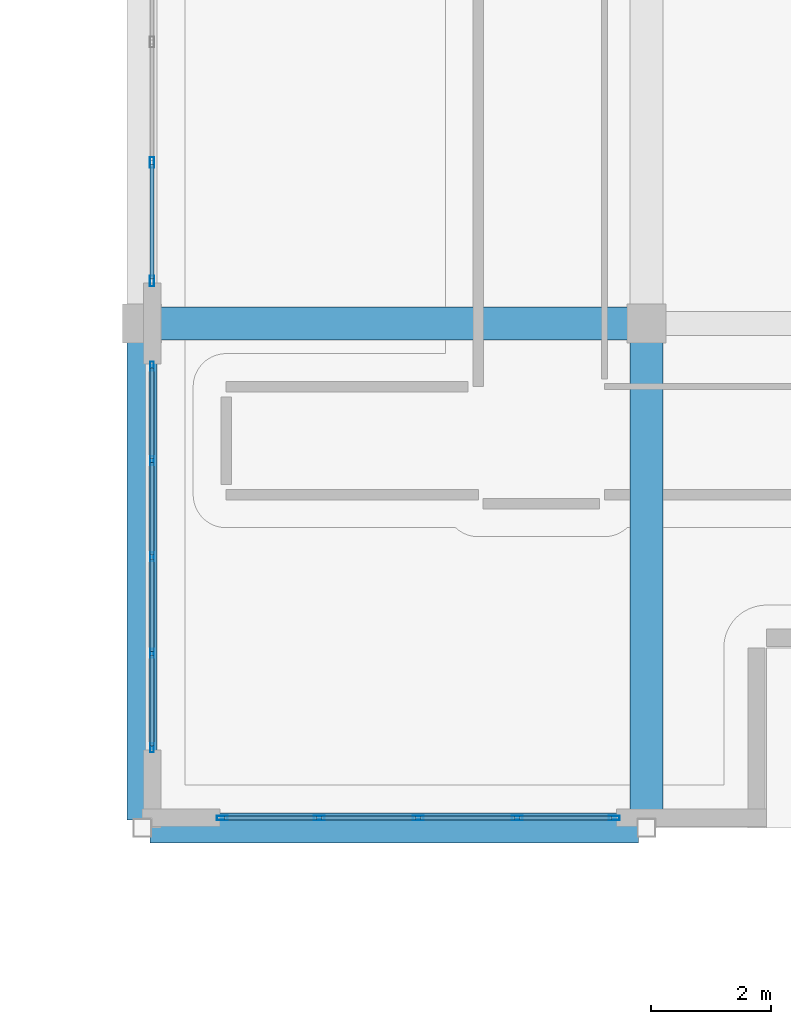
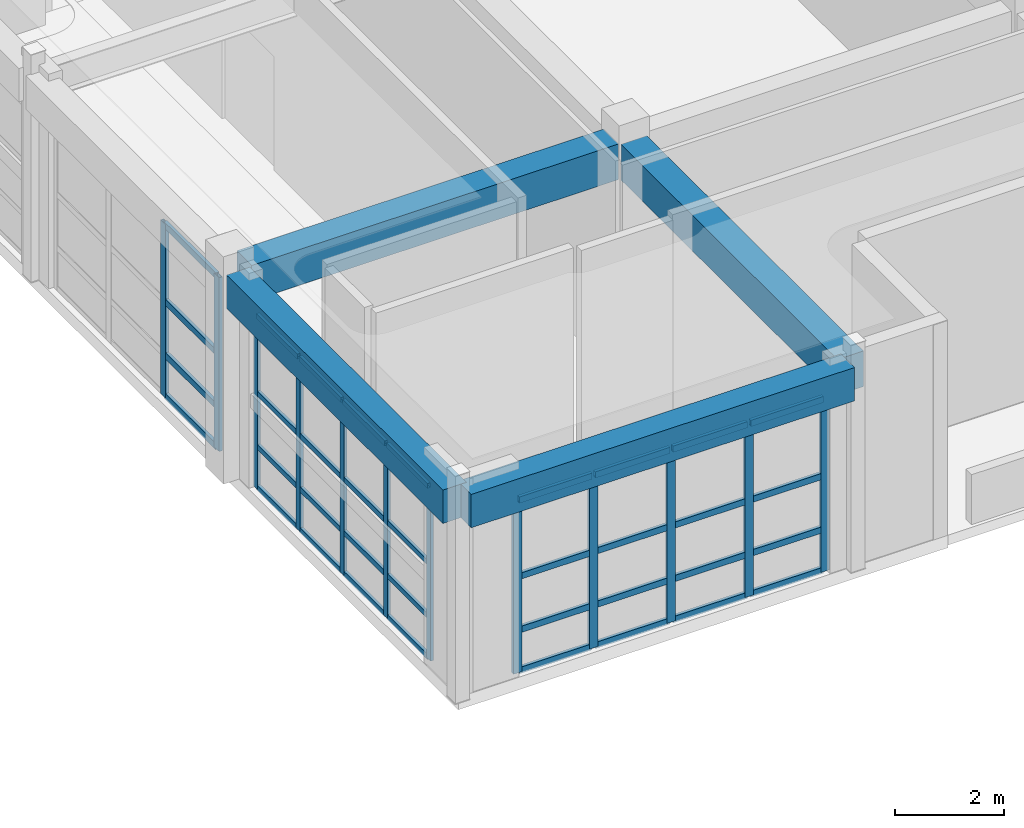
# One storey, part 28 of 78: 48 members, 4 beams, 3 elements without a shape of their own.
"""IFC4 building model written with IfcOpenShell, lengths in metres."""

from ifc_helpers import new_model, si_unit, direction, frame, origin, origin_2d, place, context, subcontext, project, spatial, rectangle, hollow_rectangle, extrude, material, layer, layer_set, material_profile, profile_set, type_object, element, aggregate, save


model = new_model("IFC4")

# Units and contexts
model_context = context("Model", 3, precision=1e-05, world=origin(), true_north=direction((0.0, 1.0)))
body_context = subcontext(model_context, "Body", "Model", "MODEL_VIEW")
ifc_project = project(units=[si_unit("LENGTHUNIT", "METRE"), si_unit("AREAUNIT", "SQUARE_METRE"), si_unit("VOLUMEUNIT", "CUBIC_METRE"), si_unit("PLANEANGLEUNIT", "RADIAN"), si_unit("MASSUNIT", "GRAM", prefix="KILO")], contexts=[model_context])

# Site, building, storey
site_placement = place(None, origin())
site = spatial("IfcSite", under=ifc_project, at=site_placement, CompositionType="ELEMENT")
building_placement = place(site_placement, origin())
building = spatial("IfcBuilding", under=site, at=building_placement, Name="Quendrovan Civic Courthouse", CompositionType="ELEMENT")
storey_placement = place(building_placement, frame((0.0, 0.0, 10.199951171875)))
storey = spatial("IfcBuildingStorey", under=building, at=storey_placement, Name="L03", CompositionType="ELEMENT", Elevation=10.199951171875)

# Beams
ifc_material_1 = material(Name="Concrete C40/50", Category="concrete")
ifc_material_profile_1 = material_profile(ifc_material_1, rectangle(XDim=0.5, YDim=0.75, at=origin_2d()), Name="RC-BM-500x750")
ifc_profile_set_1 = profile_set([ifc_material_profile_1], Name="Concrete C40/50")
beam_type_1 = type_object("IfcBeamType", Name="BM-RC750", PredefinedType="SPANDREL", material=ifc_profile_set_1)
beam_1_placement = place(storey_placement, frame((33.72998046875, 64.800048828125, 4.28515625), z_axis=(1.0, 0.0, 0.0), x_axis=(0.0, 1.0, 0.0)))
element("IfcBeam", 1, at=beam_1_placement, inside=storey, type_object=beam_type_1, Name="L03 Girder X0746", PredefinedType="SPANDREL", context=body_context, shape_type="SweptSolid", body=[
    extrude(rectangle(XDim=0.5, YDim=0.75, at=origin_2d()), origin(), (0.0, 0.0, 1.0), 8.14013671875),
])
beam_2_placement = place(storey_placement, frame((33.60009765625, 64.929931640625, 4.28515625), z_axis=(0.0, 1.0, 0.0), x_axis=(-1.0, 0.0, 0.0)))
element("IfcBeam", 2, at=beam_2_placement, inside=storey, type_object=beam_type_1, Name="L03 Girder Y0822", PredefinedType="SPANDREL", context=body_context, shape_type="SweptSolid", body=[
    extrude(rectangle(XDim=0.5, YDim=0.75, at=origin_2d()), origin(), (0.0, 0.0, 1.0), 7.965087890625),
])
ifc_material_profile_2 = material_profile(ifc_material_1, rectangle(XDim=0.550048828125, YDim=0.800048828125, at=origin_2d()), Name="RC-BM-550x800")
ifc_profile_set_2 = profile_set([ifc_material_profile_2], Name="Concrete C40/50")
beam_type_2 = type_object("IfcBeamType", Name="BM-RC800", PredefinedType="BEAM", material=ifc_profile_set_2)
beam_3_placement = place(storey_placement, frame((33.905029296875, 73.199951171875, 4.260009765625), z_axis=(1.0, 0.0, 0.0), x_axis=(0.0, 1.0, 0.0)))
element("IfcBeam", 3, at=beam_3_placement, inside=storey, type_object=beam_type_2, Name="L03 Girder X0753", PredefinedType="BEAM", context=body_context, shape_type="SweptSolid", body=[
    extrude(rectangle(XDim=0.550048828125, YDim=0.800048828125, at=origin_2d()), origin(), (0.0, 0.0, 1.0), 7.7900390625),
])
beam_4_placement = place(storey_placement, frame((42.0, 64.929931640625, 4.260009765625), z_axis=(0.0, 1.0, 0.0), x_axis=(-1.0, 0.0, 0.0)))
element("IfcBeam", 4, at=beam_4_placement, inside=storey, type_object=beam_type_2, Name="L03 Girder Y0830", PredefinedType="BEAM", context=body_context, shape_type="SweptSolid", body=[
    extrude(rectangle(XDim=0.550048828125, YDim=0.800048828125, at=origin_2d()), origin(), (0.0, 0.0, 1.0), 7.965087890625),
])

# Curtain wall, members
ifc_material_2 = material(Name="Bronze anodised aluminium and low-E glass", Category="aluminium")
ifc_layer_1 = layer(ifc_material_2, 0.179931640625, Name="Bronze anodised aluminium and low-E glass")
ifc_layer_set_1 = layer_set([ifc_layer_1], Name="Bronze anodised aluminium and low-E glass")
curtain_wall_type_1 = type_object("IfcCurtainWallType", Name="CW-U66x39", PredefinedType="USERDEFINED", material=ifc_layer_set_1)
curtain_wall_1_placement = place(storey_placement, origin())
curtain_wall_1 = element("IfcCurtainWall", 5, at=curtain_wall_1_placement, inside=storey, type_object=curtain_wall_type_1, Name="L03 Unitised Hurricane Curtain Wall CW-136", ObjectType="UNITISED CURTAIN WALL", PredefinedType="USERDEFINED")
ifc_material_3 = material(Name="Bronze anodised aluminium", Category="aluminium")
ifc_material_profile_3 = material_profile(ifc_material_3, hollow_rectangle(XDim=0.070068359375, YDim=0.179931640625, WallThickness=0.00390625, at=origin_2d()), Name="CW-MULL-70x180")
ifc_profile_set_3 = profile_set([ifc_material_profile_3], Name="Bronze anodised aluminium")
member_type_1 = type_object("IfcMemberType", Name="CW-MULL-A", PredefinedType="MULLION", material=ifc_profile_set_3)
member_1_placement = place(storey_placement, frame((41.465087890625, 64.965087890625, 0.0), z_axis=(0.0, 0.0, 1.0), x_axis=(0.0, -1.0, 0.0)))
member_1 = element("IfcMember", 6, at=member_1_placement, type_object=member_type_1, Name="CW-136 mullion 1", PredefinedType="MULLION", context=body_context, shape_type="SweptSolid", body=[
    extrude(hollow_rectangle(XDim=0.070068359375, YDim=0.179931640625, WallThickness=0.00390625, at=origin_2d()), origin(), (0.0, 0.0, 1.0), 3.900146484375),
])
member_2_placement = place(storey_placement, frame((39.85009765625, 64.965087890625, 0.0), z_axis=(0.0, 0.0, 1.0), x_axis=(0.0, -1.0, 0.0)))
member_2 = element("IfcMember", 7, at=member_2_placement, type_object=member_type_1, Name="CW-136 mullion 2", PredefinedType="MULLION", context=body_context, shape_type="SweptSolid", body=[
    extrude(hollow_rectangle(XDim=0.070068359375, YDim=0.179931640625, WallThickness=0.00390625, at=origin_2d()), origin(), (0.0, 0.0, 1.0), 3.900146484375),
])
member_3_placement = place(storey_placement, frame((38.199951171875, 64.965087890625, 0.0), z_axis=(0.0, 0.0, 1.0), x_axis=(0.0, -1.0, 0.0)))
member_3 = element("IfcMember", 8, at=member_3_placement, type_object=member_type_1, Name="CW-136 mullion 3", PredefinedType="MULLION", context=body_context, shape_type="SweptSolid", body=[
    extrude(hollow_rectangle(XDim=0.070068359375, YDim=0.179931640625, WallThickness=0.00390625, at=origin_2d()), origin(), (0.0, 0.0, 1.0), 3.900146484375),
])
member_4_placement = place(storey_placement, frame((36.550048828125, 64.965087890625, 0.0), z_axis=(0.0, 0.0, 1.0), x_axis=(0.0, -1.0, 0.0)))
member_4 = element("IfcMember", 9, at=member_4_placement, type_object=member_type_1, Name="CW-136 mullion 4", PredefinedType="MULLION", context=body_context, shape_type="SweptSolid", body=[
    extrude(hollow_rectangle(XDim=0.070068359375, YDim=0.179931640625, WallThickness=0.00390625, at=origin_2d()), origin(), (0.0, 0.0, 1.0), 3.900146484375),
])
member_5_placement = place(storey_placement, frame((34.93505859375, 64.965087890625, 0.0), z_axis=(0.0, 0.0, 1.0), x_axis=(0.0, -1.0, 0.0)))
member_5 = element("IfcMember", 10, at=member_5_placement, type_object=member_type_1, Name="CW-136 mullion 5", PredefinedType="MULLION", context=body_context, shape_type="SweptSolid", body=[
    extrude(hollow_rectangle(XDim=0.070068359375, YDim=0.179931640625, WallThickness=0.00390625, at=origin_2d()), origin(), (0.0, 0.0, 1.0), 3.900146484375),
])

ifc_layer_2 = layer(ifc_material_2, 0.179931640625, Name="Bronze anodised aluminium and low-E glass")
ifc_layer_set_2 = layer_set([ifc_layer_2], Name="Bronze anodised aluminium and low-E glass")
curtain_wall_type_2 = type_object("IfcCurtainWallType", Name="CW-U60x39", PredefinedType="USERDEFINED", material=ifc_layer_set_2)
curtain_wall_2_placement = place(storey_placement, origin())
curtain_wall_2 = element("IfcCurtainWall", 11, at=curtain_wall_2_placement, inside=storey, type_object=curtain_wall_type_2, Name="L03 Unitised Hurricane Curtain Wall CW-138", ObjectType="UNITISED CURTAIN WALL", PredefinedType="USERDEFINED")
member_6_placement = place(storey_placement, frame((33.764892578125, 73.909912109375, 0.0), z_axis=(0.0, 0.0, 1.0), x_axis=(-1.0, 0.0, 0.0)))
member_6 = element("IfcMember", 12, at=member_6_placement, type_object=member_type_1, Name="CW-138 mullion 1", PredefinedType="MULLION", context=body_context, shape_type="SweptSolid", body=[
    extrude(hollow_rectangle(XDim=0.070068359375, YDim=0.179931640625, WallThickness=0.00390625, at=origin_2d()), origin(), (0.0, 0.0, 1.0), 3.900146484375),
])
member_7_placement = place(storey_placement, frame((33.764892578125, 75.88330078125, 0.0), z_axis=(0.0, 0.0, 1.0), x_axis=(-1.0, 0.0, 0.0)))
member_7 = element("IfcMember", 13, at=member_7_placement, type_object=member_type_1, Name="CW-138 mullion 2", PredefinedType="MULLION", context=body_context, shape_type="SweptSolid", body=[
    extrude(hollow_rectangle(XDim=0.070068359375, YDim=0.179931640625, WallThickness=0.00390625, at=origin_2d()), origin(), (0.0, 0.0, 1.0), 3.900146484375),
])

ifc_layer_3 = layer(ifc_material_2, 0.179931640625, Name="Bronze anodised aluminium and low-E glass")
ifc_layer_set_3 = layer_set([ifc_layer_3], Name="Bronze anodised aluminium and low-E glass")
curtain_wall_type_3 = type_object("IfcCurtainWallType", Name="CW-U64x39", PredefinedType="USERDEFINED", material=ifc_layer_set_3)
curtain_wall_3_placement = place(storey_placement, origin())
curtain_wall_3 = element("IfcCurtainWall", 14, at=curtain_wall_3_placement, inside=storey, type_object=curtain_wall_type_3, Name="L03 Unitised Hurricane Curtain Wall CW-137", ObjectType="UNITISED CURTAIN WALL", PredefinedType="USERDEFINED")
ifc_material_profile_4 = material_profile(ifc_material_3, hollow_rectangle(XDim=0.06494140625, YDim=0.14990234375, WallThickness=0.00390625, at=origin_2d()), Name="CW-MULL-65x150")
ifc_profile_set_4 = profile_set([ifc_material_profile_4], Name="Bronze anodised aluminium")
member_type_2 = type_object("IfcMemberType", Name="CW-MULL-B", PredefinedType="MULLION", material=ifc_profile_set_4)
member_8_placement = place(storey_placement, frame((33.764892578125, 66.132568359375, 0.0), z_axis=(0.0, 0.0, 1.0), x_axis=(-1.0, 0.0, 0.0)))
member_8 = element("IfcMember", 15, at=member_8_placement, type_object=member_type_2, Name="CW-137 mullion 1", PredefinedType="MULLION", context=body_context, shape_type="SweptSolid", body=[
    extrude(hollow_rectangle(XDim=0.06494140625, YDim=0.14990234375, WallThickness=0.00390625, at=origin_2d()), origin(), (0.0, 0.0, 1.0), 3.900146484375),
])
member_9_placement = place(storey_placement, frame((33.764892578125, 67.706298828125, 0.0), z_axis=(0.0, 0.0, 1.0), x_axis=(-1.0, 0.0, 0.0)))
member_9 = element("IfcMember", 16, at=member_9_placement, type_object=member_type_2, Name="CW-137 mullion 2", PredefinedType="MULLION", context=body_context, shape_type="SweptSolid", body=[
    extrude(hollow_rectangle(XDim=0.06494140625, YDim=0.14990234375, WallThickness=0.00390625, at=origin_2d()), origin(), (0.0, 0.0, 1.0), 3.900146484375),
])
member_10_placement = place(storey_placement, frame((33.764892578125, 69.3125, 0.0), z_axis=(0.0, 0.0, 1.0), x_axis=(-1.0, 0.0, 0.0)))
member_10 = element("IfcMember", 17, at=member_10_placement, type_object=member_type_2, Name="CW-137 mullion 3", PredefinedType="MULLION", context=body_context, shape_type="SweptSolid", body=[
    extrude(hollow_rectangle(XDim=0.06494140625, YDim=0.14990234375, WallThickness=0.00390625, at=origin_2d()), origin(), (0.0, 0.0, 1.0), 3.900146484375),
])
member_11_placement = place(storey_placement, frame((33.764892578125, 70.918701171875, 0.0), z_axis=(0.0, 0.0, 1.0), x_axis=(-1.0, 0.0, 0.0)))
member_11 = element("IfcMember", 18, at=member_11_placement, type_object=member_type_2, Name="CW-137 mullion 4", PredefinedType="MULLION", context=body_context, shape_type="SweptSolid", body=[
    extrude(hollow_rectangle(XDim=0.06494140625, YDim=0.14990234375, WallThickness=0.00390625, at=origin_2d()), origin(), (0.0, 0.0, 1.0), 3.900146484375),
])
member_12_placement = place(storey_placement, frame((33.764892578125, 72.492431640625, 0.0), z_axis=(0.0, 0.0, 1.0), x_axis=(-1.0, 0.0, 0.0)))
member_12 = element("IfcMember", 19, at=member_12_placement, type_object=member_type_2, Name="CW-137 mullion 5", PredefinedType="MULLION", context=body_context, shape_type="SweptSolid", body=[
    extrude(hollow_rectangle(XDim=0.06494140625, YDim=0.14990234375, WallThickness=0.00390625, at=origin_2d()), origin(), (0.0, 0.0, 1.0), 3.900146484375),
])

# Member
ifc_material_profile_5 = material_profile(ifc_material_3, hollow_rectangle(XDim=0.070068359375, YDim=0.139892578125, WallThickness=0.00390625, at=origin_2d()), Name="CW-TRAN-70x140")
ifc_profile_set_5 = profile_set([ifc_material_profile_5], Name="Bronze anodised aluminium")
member_type_3 = type_object("IfcMemberType", Name="CW-TRAN-A", PredefinedType="USERDEFINED", material=ifc_profile_set_5)
member_13_placement = place(storey_placement, frame((41.429931640625, 64.965087890625, 0.03515625), z_axis=(-1.0, 0.0, 0.0), x_axis=(0.0, -1.0, 0.0)))
member_13 = element("IfcMember", 20, at=member_13_placement, type_object=member_type_3, Name="CW-136 transom 1.1", ObjectType="TRANSOM", PredefinedType="USERDEFINED", context=body_context, shape_type="SweptSolid", body=[
    extrude(hollow_rectangle(XDim=0.070068359375, YDim=0.139892578125, WallThickness=0.00390625, at=origin_2d()), origin(), (0.0, 0.0, 1.0), 1.544921875),
])

member_14_placement = place(storey_placement, frame((41.429931640625, 64.965087890625, 0.949951171875), z_axis=(-1.0, 0.0, 0.0), x_axis=(0.0, -1.0, 0.0)))
member_14 = element("IfcMember", 21, at=member_14_placement, type_object=member_type_3, Name="CW-136 transom 1.2", ObjectType="TRANSOM", PredefinedType="USERDEFINED", context=body_context, shape_type="SweptSolid", body=[
    extrude(hollow_rectangle(XDim=0.070068359375, YDim=0.139892578125, WallThickness=0.00390625, at=origin_2d()), origin(), (0.0, 0.0, 1.0), 1.544921875),
])

member_15_placement = place(storey_placement, frame((41.429931640625, 64.965087890625, 2.150146484375), z_axis=(-1.0, 0.0, 0.0), x_axis=(0.0, -1.0, 0.0)))
member_15 = element("IfcMember", 22, at=member_15_placement, type_object=member_type_3, Name="CW-136 transom 1.3", ObjectType="TRANSOM", PredefinedType="USERDEFINED", context=body_context, shape_type="SweptSolid", body=[
    extrude(hollow_rectangle(XDim=0.070068359375, YDim=0.139892578125, WallThickness=0.00390625, at=origin_2d()), origin(), (0.0, 0.0, 1.0), 1.544921875),
])

member_16_placement = place(storey_placement, frame((41.429931640625, 64.965087890625, 3.864990234375), z_axis=(-1.0, 0.0, 0.0), x_axis=(0.0, -1.0, 0.0)))
member_16 = element("IfcMember", 23, at=member_16_placement, type_object=member_type_3, Name="CW-136 transom 1.4", ObjectType="TRANSOM", PredefinedType="USERDEFINED", context=body_context, shape_type="SweptSolid", body=[
    extrude(hollow_rectangle(XDim=0.070068359375, YDim=0.139892578125, WallThickness=0.00390625, at=origin_2d()), origin(), (0.0, 0.0, 1.0), 1.544921875),
])

member_17_placement = place(storey_placement, frame((39.81494140625, 64.965087890625, 0.03515625), z_axis=(-1.0, 0.0, 0.0), x_axis=(0.0, -1.0, 0.0)))
member_17 = element("IfcMember", 24, at=member_17_placement, type_object=member_type_3, Name="CW-136 transom 2.1", ObjectType="TRANSOM", PredefinedType="USERDEFINED", context=body_context, shape_type="SweptSolid", body=[
    extrude(hollow_rectangle(XDim=0.070068359375, YDim=0.139892578125, WallThickness=0.00390625, at=origin_2d()), origin(), (0.0, 0.0, 1.0), 1.579833984375),
])

member_18_placement = place(storey_placement, frame((39.81494140625, 64.965087890625, 0.949951171875), z_axis=(-1.0, 0.0, 0.0), x_axis=(0.0, -1.0, 0.0)))
member_18 = element("IfcMember", 25, at=member_18_placement, type_object=member_type_3, Name="CW-136 transom 2.2", ObjectType="TRANSOM", PredefinedType="USERDEFINED", context=body_context, shape_type="SweptSolid", body=[
    extrude(hollow_rectangle(XDim=0.070068359375, YDim=0.139892578125, WallThickness=0.00390625, at=origin_2d()), origin(), (0.0, 0.0, 1.0), 1.579833984375),
])

member_19_placement = place(storey_placement, frame((39.81494140625, 64.965087890625, 2.150146484375), z_axis=(-1.0, 0.0, 0.0), x_axis=(0.0, -1.0, 0.0)))
member_19 = element("IfcMember", 26, at=member_19_placement, type_object=member_type_3, Name="CW-136 transom 2.3", ObjectType="TRANSOM", PredefinedType="USERDEFINED", context=body_context, shape_type="SweptSolid", body=[
    extrude(hollow_rectangle(XDim=0.070068359375, YDim=0.139892578125, WallThickness=0.00390625, at=origin_2d()), origin(), (0.0, 0.0, 1.0), 1.579833984375),
])

member_20_placement = place(storey_placement, frame((39.81494140625, 64.965087890625, 3.864990234375), z_axis=(-1.0, 0.0, 0.0), x_axis=(0.0, -1.0, 0.0)))
member_20 = element("IfcMember", 27, at=member_20_placement, type_object=member_type_3, Name="CW-136 transom 2.4", ObjectType="TRANSOM", PredefinedType="USERDEFINED", context=body_context, shape_type="SweptSolid", body=[
    extrude(hollow_rectangle(XDim=0.070068359375, YDim=0.139892578125, WallThickness=0.00390625, at=origin_2d()), origin(), (0.0, 0.0, 1.0), 1.579833984375),
])

member_21_placement = place(storey_placement, frame((38.1650390625, 64.965087890625, 0.03515625), z_axis=(-1.0, 0.0, 0.0), x_axis=(0.0, -1.0, 0.0)))
member_21 = element("IfcMember", 28, at=member_21_placement, type_object=member_type_3, Name="CW-136 transom 3.1", ObjectType="TRANSOM", PredefinedType="USERDEFINED", context=body_context, shape_type="SweptSolid", body=[
    extrude(hollow_rectangle(XDim=0.070068359375, YDim=0.139892578125, WallThickness=0.00390625, at=origin_2d()), origin(), (0.0, 0.0, 1.0), 1.580078125),
])

member_22_placement = place(storey_placement, frame((38.1650390625, 64.965087890625, 0.949951171875), z_axis=(-1.0, 0.0, 0.0), x_axis=(0.0, -1.0, 0.0)))
member_22 = element("IfcMember", 29, at=member_22_placement, type_object=member_type_3, Name="CW-136 transom 3.2", ObjectType="TRANSOM", PredefinedType="USERDEFINED", context=body_context, shape_type="SweptSolid", body=[
    extrude(hollow_rectangle(XDim=0.070068359375, YDim=0.139892578125, WallThickness=0.00390625, at=origin_2d()), origin(), (0.0, 0.0, 1.0), 1.580078125),
])

member_23_placement = place(storey_placement, frame((38.1650390625, 64.965087890625, 2.150146484375), z_axis=(-1.0, 0.0, 0.0), x_axis=(0.0, -1.0, 0.0)))
member_23 = element("IfcMember", 30, at=member_23_placement, type_object=member_type_3, Name="CW-136 transom 3.3", ObjectType="TRANSOM", PredefinedType="USERDEFINED", context=body_context, shape_type="SweptSolid", body=[
    extrude(hollow_rectangle(XDim=0.070068359375, YDim=0.139892578125, WallThickness=0.00390625, at=origin_2d()), origin(), (0.0, 0.0, 1.0), 1.580078125),
])

member_24_placement = place(storey_placement, frame((38.1650390625, 64.965087890625, 3.864990234375), z_axis=(-1.0, 0.0, 0.0), x_axis=(0.0, -1.0, 0.0)))
member_24 = element("IfcMember", 31, at=member_24_placement, type_object=member_type_3, Name="CW-136 transom 3.4", ObjectType="TRANSOM", PredefinedType="USERDEFINED", context=body_context, shape_type="SweptSolid", body=[
    extrude(hollow_rectangle(XDim=0.070068359375, YDim=0.139892578125, WallThickness=0.00390625, at=origin_2d()), origin(), (0.0, 0.0, 1.0), 1.580078125),
])

member_25_placement = place(storey_placement, frame((36.514892578125, 64.965087890625, 0.03515625), z_axis=(-1.0, 0.0, 0.0), x_axis=(0.0, -1.0, 0.0)))
member_25 = element("IfcMember", 32, at=member_25_placement, type_object=member_type_3, Name="CW-136 transom 4.1", ObjectType="TRANSOM", PredefinedType="USERDEFINED", context=body_context, shape_type="SweptSolid", body=[
    extrude(hollow_rectangle(XDim=0.070068359375, YDim=0.139892578125, WallThickness=0.00390625, at=origin_2d()), origin(), (0.0, 0.0, 1.0), 1.544921875),
])

member_26_placement = place(storey_placement, frame((36.514892578125, 64.965087890625, 0.949951171875), z_axis=(-1.0, 0.0, 0.0), x_axis=(0.0, -1.0, 0.0)))
member_26 = element("IfcMember", 33, at=member_26_placement, type_object=member_type_3, Name="CW-136 transom 4.2", ObjectType="TRANSOM", PredefinedType="USERDEFINED", context=body_context, shape_type="SweptSolid", body=[
    extrude(hollow_rectangle(XDim=0.070068359375, YDim=0.139892578125, WallThickness=0.00390625, at=origin_2d()), origin(), (0.0, 0.0, 1.0), 1.544921875),
])

member_27_placement = place(storey_placement, frame((36.514892578125, 64.965087890625, 2.150146484375), z_axis=(-1.0, 0.0, 0.0), x_axis=(0.0, -1.0, 0.0)))
member_27 = element("IfcMember", 34, at=member_27_placement, type_object=member_type_3, Name="CW-136 transom 4.3", ObjectType="TRANSOM", PredefinedType="USERDEFINED", context=body_context, shape_type="SweptSolid", body=[
    extrude(hollow_rectangle(XDim=0.070068359375, YDim=0.139892578125, WallThickness=0.00390625, at=origin_2d()), origin(), (0.0, 0.0, 1.0), 1.544921875),
])

member_28_placement = place(storey_placement, frame((36.514892578125, 64.965087890625, 3.864990234375), z_axis=(-1.0, 0.0, 0.0), x_axis=(0.0, -1.0, 0.0)))
member_28 = element("IfcMember", 35, at=member_28_placement, type_object=member_type_3, Name="CW-136 transom 4.4", ObjectType="TRANSOM", PredefinedType="USERDEFINED", context=body_context, shape_type="SweptSolid", body=[
    extrude(hollow_rectangle(XDim=0.070068359375, YDim=0.139892578125, WallThickness=0.00390625, at=origin_2d()), origin(), (0.0, 0.0, 1.0), 1.544921875),
])

aggregate(curtain_wall_1, [member_1, member_2, member_3, member_4, member_5, member_13, member_14, member_15, member_16, member_17, member_18, member_19, member_20, member_21, member_22, member_23, member_24, member_25, member_26, member_27, member_28])

member_29_placement = place(storey_placement, frame((33.764892578125, 73.945068359375, 0.03515625), z_axis=(0.0, 1.0, 0.0), x_axis=(-1.0, 0.0, 0.0)))
member_29 = element("IfcMember", 36, at=member_29_placement, type_object=member_type_3, Name="CW-138 transom 1.1", ObjectType="TRANSOM", PredefinedType="USERDEFINED", context=body_context, shape_type="SweptSolid", body=[
    extrude(hollow_rectangle(XDim=0.070068359375, YDim=0.139892578125, WallThickness=0.00390625, at=origin_2d()), origin(), (0.0, 0.0, 1.0), 1.9033203125),
])

member_30_placement = place(storey_placement, frame((33.764892578125, 73.945068359375, 0.949951171875), z_axis=(0.0, 1.0, 0.0), x_axis=(-1.0, 0.0, 0.0)))
member_30 = element("IfcMember", 37, at=member_30_placement, type_object=member_type_3, Name="CW-138 transom 1.2", ObjectType="TRANSOM", PredefinedType="USERDEFINED", context=body_context, shape_type="SweptSolid", body=[
    extrude(hollow_rectangle(XDim=0.070068359375, YDim=0.139892578125, WallThickness=0.00390625, at=origin_2d()), origin(), (0.0, 0.0, 1.0), 1.9033203125),
])

member_31_placement = place(storey_placement, frame((33.764892578125, 73.945068359375, 2.150146484375), z_axis=(0.0, 1.0, 0.0), x_axis=(-1.0, 0.0, 0.0)))
member_31 = element("IfcMember", 38, at=member_31_placement, type_object=member_type_3, Name="CW-138 transom 1.3", ObjectType="TRANSOM", PredefinedType="USERDEFINED", context=body_context, shape_type="SweptSolid", body=[
    extrude(hollow_rectangle(XDim=0.070068359375, YDim=0.139892578125, WallThickness=0.00390625, at=origin_2d()), origin(), (0.0, 0.0, 1.0), 1.9033203125),
])

member_32_placement = place(storey_placement, frame((33.764892578125, 73.945068359375, 3.864990234375), z_axis=(0.0, 1.0, 0.0), x_axis=(-1.0, 0.0, 0.0)))
member_32 = element("IfcMember", 39, at=member_32_placement, type_object=member_type_3, Name="CW-138 transom 1.4", ObjectType="TRANSOM", PredefinedType="USERDEFINED", context=body_context, shape_type="SweptSolid", body=[
    extrude(hollow_rectangle(XDim=0.070068359375, YDim=0.139892578125, WallThickness=0.00390625, at=origin_2d()), origin(), (0.0, 0.0, 1.0), 1.9033203125),
])

aggregate(curtain_wall_2, [member_6, member_7, member_29, member_30, member_31, member_32])

ifc_material_profile_6 = material_profile(ifc_material_3, hollow_rectangle(XDim=0.06494140625, YDim=0.114990234375, WallThickness=0.00390625, at=origin_2d()), Name="CW-TRAN-65x115")
ifc_profile_set_6 = profile_set([ifc_material_profile_6], Name="Bronze anodised aluminium")
member_type_4 = type_object("IfcMemberType", Name="CW-TRAN-B", PredefinedType="USERDEFINED", material=ifc_profile_set_6)
member_33_placement = place(storey_placement, frame((33.764892578125, 66.1650390625, 0.032470703125), z_axis=(0.0, 1.0, 0.0), x_axis=(-1.0, 0.0, 0.0)))
member_33 = element("IfcMember", 40, at=member_33_placement, type_object=member_type_4, Name="CW-137 transom 1.1", ObjectType="TRANSOM", PredefinedType="USERDEFINED", context=body_context, shape_type="SweptSolid", body=[
    extrude(hollow_rectangle(XDim=0.06494140625, YDim=0.114990234375, WallThickness=0.00390625, at=origin_2d()), origin(), (0.0, 0.0, 1.0), 1.5087890625),
])

member_34_placement = place(storey_placement, frame((33.764892578125, 66.1650390625, 0.949951171875), z_axis=(0.0, 1.0, 0.0), x_axis=(-1.0, 0.0, 0.0)))
member_34 = element("IfcMember", 41, at=member_34_placement, type_object=member_type_4, Name="CW-137 transom 1.2", ObjectType="TRANSOM", PredefinedType="USERDEFINED", context=body_context, shape_type="SweptSolid", body=[
    extrude(hollow_rectangle(XDim=0.06494140625, YDim=0.114990234375, WallThickness=0.00390625, at=origin_2d()), origin(), (0.0, 0.0, 1.0), 1.5087890625),
])

member_35_placement = place(storey_placement, frame((33.764892578125, 66.1650390625, 2.150146484375), z_axis=(0.0, 1.0, 0.0), x_axis=(-1.0, 0.0, 0.0)))
member_35 = element("IfcMember", 42, at=member_35_placement, type_object=member_type_4, Name="CW-137 transom 1.3", ObjectType="TRANSOM", PredefinedType="USERDEFINED", context=body_context, shape_type="SweptSolid", body=[
    extrude(hollow_rectangle(XDim=0.06494140625, YDim=0.114990234375, WallThickness=0.00390625, at=origin_2d()), origin(), (0.0, 0.0, 1.0), 1.5087890625),
])

member_36_placement = place(storey_placement, frame((33.764892578125, 66.1650390625, 3.867431640625), z_axis=(0.0, 1.0, 0.0), x_axis=(-1.0, 0.0, 0.0)))
member_36 = element("IfcMember", 43, at=member_36_placement, type_object=member_type_4, Name="CW-137 transom 1.4", ObjectType="TRANSOM", PredefinedType="USERDEFINED", context=body_context, shape_type="SweptSolid", body=[
    extrude(hollow_rectangle(XDim=0.06494140625, YDim=0.114990234375, WallThickness=0.00390625, at=origin_2d()), origin(), (0.0, 0.0, 1.0), 1.5087890625),
])

member_37_placement = place(storey_placement, frame((33.764892578125, 67.73876953125, 0.032470703125), z_axis=(0.0, 1.0, 0.0), x_axis=(-1.0, 0.0, 0.0)))
member_37 = element("IfcMember", 44, at=member_37_placement, type_object=member_type_4, Name="CW-137 transom 2.1", ObjectType="TRANSOM", PredefinedType="USERDEFINED", context=body_context, shape_type="SweptSolid", body=[
    extrude(hollow_rectangle(XDim=0.06494140625, YDim=0.114990234375, WallThickness=0.00390625, at=origin_2d()), origin(), (0.0, 0.0, 1.0), 1.541259765625),
])

member_38_placement = place(storey_placement, frame((33.764892578125, 67.73876953125, 0.949951171875), z_axis=(0.0, 1.0, 0.0), x_axis=(-1.0, 0.0, 0.0)))
member_38 = element("IfcMember", 45, at=member_38_placement, type_object=member_type_4, Name="CW-137 transom 2.2", ObjectType="TRANSOM", PredefinedType="USERDEFINED", context=body_context, shape_type="SweptSolid", body=[
    extrude(hollow_rectangle(XDim=0.06494140625, YDim=0.114990234375, WallThickness=0.00390625, at=origin_2d()), origin(), (0.0, 0.0, 1.0), 1.541259765625),
])

member_39_placement = place(storey_placement, frame((33.764892578125, 67.73876953125, 2.150146484375), z_axis=(0.0, 1.0, 0.0), x_axis=(-1.0, 0.0, 0.0)))
member_39 = element("IfcMember", 46, at=member_39_placement, type_object=member_type_4, Name="CW-137 transom 2.3", ObjectType="TRANSOM", PredefinedType="USERDEFINED", context=body_context, shape_type="SweptSolid", body=[
    extrude(hollow_rectangle(XDim=0.06494140625, YDim=0.114990234375, WallThickness=0.00390625, at=origin_2d()), origin(), (0.0, 0.0, 1.0), 1.541259765625),
])

member_40_placement = place(storey_placement, frame((33.764892578125, 67.73876953125, 3.867431640625), z_axis=(0.0, 1.0, 0.0), x_axis=(-1.0, 0.0, 0.0)))
member_40 = element("IfcMember", 47, at=member_40_placement, type_object=member_type_4, Name="CW-137 transom 2.4", ObjectType="TRANSOM", PredefinedType="USERDEFINED", context=body_context, shape_type="SweptSolid", body=[
    extrude(hollow_rectangle(XDim=0.06494140625, YDim=0.114990234375, WallThickness=0.00390625, at=origin_2d()), origin(), (0.0, 0.0, 1.0), 1.541259765625),
])

member_41_placement = place(storey_placement, frame((33.764892578125, 69.344970703125, 0.032470703125), z_axis=(0.0, 1.0, 0.0), x_axis=(-1.0, 0.0, 0.0)))
member_41 = element("IfcMember", 48, at=member_41_placement, type_object=member_type_4, Name="CW-137 transom 3.1", ObjectType="TRANSOM", PredefinedType="USERDEFINED", context=body_context, shape_type="SweptSolid", body=[
    extrude(hollow_rectangle(XDim=0.06494140625, YDim=0.114990234375, WallThickness=0.00390625, at=origin_2d()), origin(), (0.0, 0.0, 1.0), 1.541259765625),
])

member_42_placement = place(storey_placement, frame((33.764892578125, 69.344970703125, 0.949951171875), z_axis=(0.0, 1.0, 0.0), x_axis=(-1.0, 0.0, 0.0)))
member_42 = element("IfcMember", 49, at=member_42_placement, type_object=member_type_4, Name="CW-137 transom 3.2", ObjectType="TRANSOM", PredefinedType="USERDEFINED", context=body_context, shape_type="SweptSolid", body=[
    extrude(hollow_rectangle(XDim=0.06494140625, YDim=0.114990234375, WallThickness=0.00390625, at=origin_2d()), origin(), (0.0, 0.0, 1.0), 1.541259765625),
])

member_43_placement = place(storey_placement, frame((33.764892578125, 69.344970703125, 2.150146484375), z_axis=(0.0, 1.0, 0.0), x_axis=(-1.0, 0.0, 0.0)))
member_43 = element("IfcMember", 50, at=member_43_placement, type_object=member_type_4, Name="CW-137 transom 3.3", ObjectType="TRANSOM", PredefinedType="USERDEFINED", context=body_context, shape_type="SweptSolid", body=[
    extrude(hollow_rectangle(XDim=0.06494140625, YDim=0.114990234375, WallThickness=0.00390625, at=origin_2d()), origin(), (0.0, 0.0, 1.0), 1.541259765625),
])

member_44_placement = place(storey_placement, frame((33.764892578125, 69.344970703125, 3.867431640625), z_axis=(0.0, 1.0, 0.0), x_axis=(-1.0, 0.0, 0.0)))
member_44 = element("IfcMember", 51, at=member_44_placement, type_object=member_type_4, Name="CW-137 transom 3.4", ObjectType="TRANSOM", PredefinedType="USERDEFINED", context=body_context, shape_type="SweptSolid", body=[
    extrude(hollow_rectangle(XDim=0.06494140625, YDim=0.114990234375, WallThickness=0.00390625, at=origin_2d()), origin(), (0.0, 0.0, 1.0), 1.541259765625),
])

member_45_placement = place(storey_placement, frame((33.764892578125, 70.951171875, 0.032470703125), z_axis=(0.0, 1.0, 0.0), x_axis=(-1.0, 0.0, 0.0)))
member_45 = element("IfcMember", 52, at=member_45_placement, type_object=member_type_4, Name="CW-137 transom 4.1", ObjectType="TRANSOM", PredefinedType="USERDEFINED", context=body_context, shape_type="SweptSolid", body=[
    extrude(hollow_rectangle(XDim=0.06494140625, YDim=0.114990234375, WallThickness=0.00390625, at=origin_2d()), origin(), (0.0, 0.0, 1.0), 1.5087890625),
])

member_46_placement = place(storey_placement, frame((33.764892578125, 70.951171875, 0.949951171875), z_axis=(0.0, 1.0, 0.0), x_axis=(-1.0, 0.0, 0.0)))
member_46 = element("IfcMember", 53, at=member_46_placement, type_object=member_type_4, Name="CW-137 transom 4.2", ObjectType="TRANSOM", PredefinedType="USERDEFINED", context=body_context, shape_type="SweptSolid", body=[
    extrude(hollow_rectangle(XDim=0.06494140625, YDim=0.114990234375, WallThickness=0.00390625, at=origin_2d()), origin(), (0.0, 0.0, 1.0), 1.5087890625),
])

member_47_placement = place(storey_placement, frame((33.764892578125, 70.951171875, 2.150146484375), z_axis=(0.0, 1.0, 0.0), x_axis=(-1.0, 0.0, 0.0)))
member_47 = element("IfcMember", 54, at=member_47_placement, type_object=member_type_4, Name="CW-137 transom 4.3", ObjectType="TRANSOM", PredefinedType="USERDEFINED", context=body_context, shape_type="SweptSolid", body=[
    extrude(hollow_rectangle(XDim=0.06494140625, YDim=0.114990234375, WallThickness=0.00390625, at=origin_2d()), origin(), (0.0, 0.0, 1.0), 1.5087890625),
])

member_48_placement = place(storey_placement, frame((33.764892578125, 70.951171875, 3.867431640625), z_axis=(0.0, 1.0, 0.0), x_axis=(-1.0, 0.0, 0.0)))
member_48 = element("IfcMember", 55, at=member_48_placement, type_object=member_type_4, Name="CW-137 transom 4.4", ObjectType="TRANSOM", PredefinedType="USERDEFINED", context=body_context, shape_type="SweptSolid", body=[
    extrude(hollow_rectangle(XDim=0.06494140625, YDim=0.114990234375, WallThickness=0.00390625, at=origin_2d()), origin(), (0.0, 0.0, 1.0), 1.5087890625),
])

aggregate(curtain_wall_3, [member_8, member_9, member_10, member_11, member_12, member_33, member_34, member_35, member_36, member_37, member_38, member_39, member_40, member_41, member_42, member_43, member_44, member_45, member_46, member_47, member_48])

save(model, "model.ifc")
